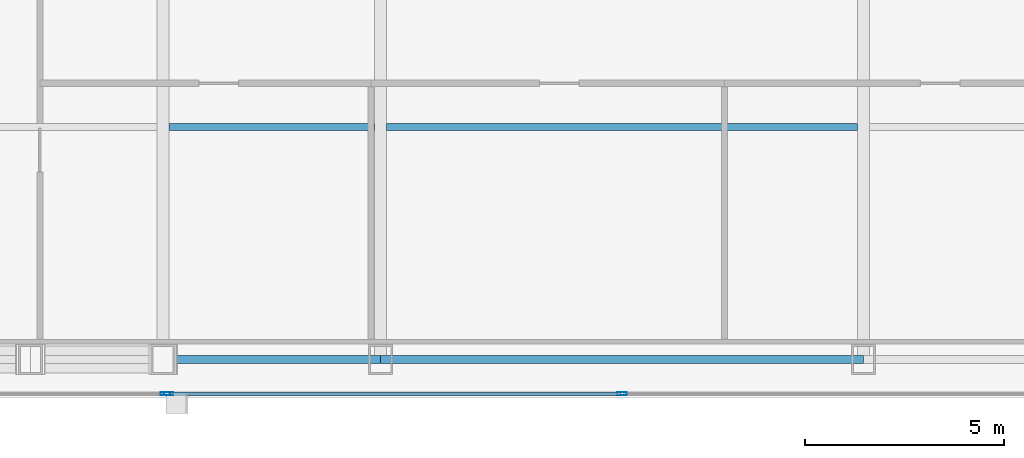
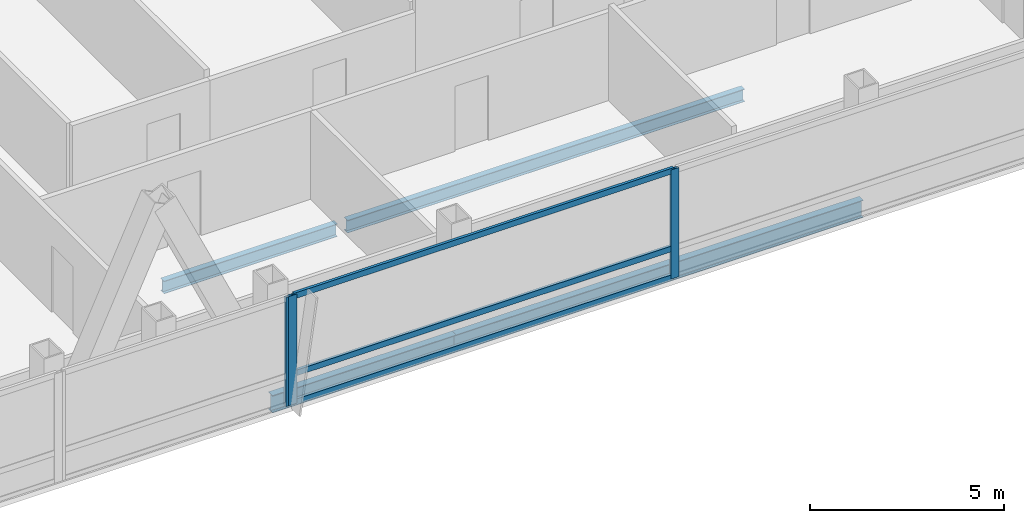
# One storey, part 8 of 30: 6 members, 4 beams, 2 elements without a shape of their own.
"""IFC4 building model written with IfcOpenShell, lengths in metres."""

from ifc_helpers import new_model, si_unit, direction, frame, origin, origin_2d, place, context, subcontext, project, spatial, hollow_rectangle, i_section, extrude, material, material_profile, profile_set, type_object, element, aggregate, save


model = new_model("IFC4")

# Units and contexts
model_context = context("Model", 3, precision=1e-05, world=origin(), true_north=direction((0.0, 1.0)))
body_context = subcontext(model_context, "Body", "Model", "MODEL_VIEW")
ifc_project = project(units=[si_unit("LENGTHUNIT", "METRE"), si_unit("AREAUNIT", "SQUARE_METRE"), si_unit("VOLUMEUNIT", "CUBIC_METRE"), si_unit("PLANEANGLEUNIT", "RADIAN"), si_unit("MASSUNIT", "GRAM", prefix="KILO")], contexts=[model_context])

# Site, building, storey
site_placement = place(None, origin())
site = spatial("IfcSite", under=ifc_project, at=site_placement, CompositionType="ELEMENT")
building_placement = place(site_placement, origin())
building = spatial("IfcBuilding", under=site, at=building_placement, Name="Khoronbel Lancet Exchange", CompositionType="ELEMENT")
storey_placement = place(building_placement, frame((0.0, 0.0, 284.199951171875)))
storey = spatial("IfcBuildingStorey", under=building, at=storey_placement, Name="L73", CompositionType="ELEMENT", Elevation=284.199951171875)

# Beams
ifc_material_1 = material(Name="Steel S355", Category="steel")
ifc_material_profile_1 = material_profile(ifc_material_1, i_section(OverallWidth=0.179931640625, OverallDepth=0.39990234375, WebThickness=0.008544921875, FlangeThickness=0.013427734375, at=origin_2d()), Name="IPE 400")
ifc_profile_set_1 = profile_set([ifc_material_profile_1], Name="Steel S355")
beam_type_1 = type_object("IfcBeamType", Name="BM-BJ5", PredefinedType="JOIST", material=ifc_profile_set_1)
beam_1_placement = place(storey_placement, frame((25.050048828125, 16.0, -0.35986328125), z_axis=(1.0, 0.0, 0.0), x_axis=(0.0, 1.0, 0.0)))
element("IfcBeam", 1, at=beam_1_placement, inside=storey, type_object=beam_type_1, Name="Level L73 secondary composite joist J02", PredefinedType="JOIST", context=body_context, shape_type="SweptSolid", body=[
    extrude(i_section(OverallWidth=0.179931640625, OverallDepth=0.39990234375, WebThickness=0.008544921875, FlangeThickness=0.013427734375, at=origin_2d()), origin(), (0.0, 0.0, 1.0), 5.175048828125),
])
beam_2_placement = place(storey_placement, frame((30.52490234375, 16.0, -0.35986328125), z_axis=(1.0, 0.0, 0.0), x_axis=(0.0, 1.0, 0.0)))
element("IfcBeam", 2, at=beam_2_placement, inside=storey, type_object=beam_type_1, Name="Level L73 secondary composite joist J03", PredefinedType="JOIST", context=body_context, shape_type="SweptSolid", body=[
    extrude(i_section(OverallWidth=0.179931640625, OverallDepth=0.39990234375, WebThickness=0.008544921875, FlangeThickness=0.013427734375, at=origin_2d()), origin(), (0.0, 0.0, 1.0), 11.85009765625),
])
ifc_material_profile_2 = material_profile(ifc_material_1, i_section(OverallWidth=0.2099609375, OverallDepth=0.550048828125, WebThickness=0.010986328125, FlangeThickness=0.01708984375, at=origin_2d()), Name="IPE 550")
ifc_profile_set_2 = profile_set([ifc_material_profile_2], Name="Steel S355")
beam_type_2 = type_object("IfcBeamType", Name="BM-BSP3", PredefinedType="SPANDREL", material=ifc_profile_set_2)
beam_3_placement = place(storey_placement, frame((24.89990234375, 10.14990234375, -0.43505859375), z_axis=(1.0, 0.0, 0.0), x_axis=(0.0, 1.0, 0.0)))
element("IfcBeam", 3, at=beam_3_placement, inside=storey, type_object=beam_type_2, Name="Level L73 perimeter spandrel beam SP04", PredefinedType="SPANDREL", context=body_context, shape_type="SweptSolid", body=[
    extrude(i_section(OverallWidth=0.2099609375, OverallDepth=0.550048828125, WebThickness=0.010986328125, FlangeThickness=0.01708984375, at=origin_2d()), origin(), (0.0, 0.0, 1.0), 5.47509765625),
])
beam_4_placement = place(storey_placement, frame((30.375, 10.14990234375, -0.43505859375), z_axis=(1.0, 0.0, 0.0), x_axis=(0.0, 1.0, 0.0)))
element("IfcBeam", 4, at=beam_4_placement, inside=storey, type_object=beam_type_2, Name="Level L73 perimeter spandrel beam SP05", PredefinedType="SPANDREL", context=body_context, shape_type="SweptSolid", body=[
    extrude(i_section(OverallWidth=0.2099609375, OverallDepth=0.550048828125, WebThickness=0.010986328125, FlangeThickness=0.01708984375, at=origin_2d()), origin(), (0.0, 0.0, 1.0), 12.14990234375),
])

# Curtain wall, member
ifc_material_2 = material(Name="Low-E Solar Control Insulating Glass", Category="glass")
curtain_wall_type = type_object("IfcCurtainWallType", Name="CW-3", PredefinedType="NOTDEFINED", material=ifc_material_2)
curtain_wall_1_placement = place(storey_placement, origin())
curtain_wall_1 = element("IfcCurtainWall", 5, at=curtain_wall_1_placement, inside=storey, type_object=curtain_wall_type, Name="Unitised curtain wall CW-L73-SWB", PredefinedType="NOTDEFINED")
ifc_material_3 = material(Name="Bronze-Anodised Aluminium 6063-T6", Category="aluminium")
ifc_material_profile_3 = material_profile(ifc_material_3, hollow_rectangle(XDim=0.0849609375, YDim=0.239990234375, WallThickness=0.006103515625, at=origin_2d()), Name="ALU MULLION 85x240")
ifc_profile_set_3 = profile_set([ifc_material_profile_3], Name="Bronze-Anodised Aluminium 6063-T6")
member_type_1 = type_object("IfcMemberType", Name="MEM-CWM1", PredefinedType="MULLION", material=ifc_profile_set_3)
member_1_placement = place(storey_placement, frame((24.95751953125, 9.2900390625, 0.0), z_axis=(0.0, 0.0, 1.0), x_axis=(0.0, 1.0, 0.0)))
member_1 = element("IfcMember", 6, at=member_1_placement, type_object=member_type_1, Name="CW3 mullion 2", PredefinedType="MULLION", context=body_context, shape_type="SweptSolid", body=[
    extrude(hollow_rectangle(XDim=0.0849609375, YDim=0.239990234375, WallThickness=0.006103515625, at=origin_2d()), origin(), (0.0, 0.0, 1.0), 3.43994140625),
])
aggregate(curtain_wall_1, [member_1])

# Curtain wall, members
curtain_wall_2_placement = place(storey_placement, origin())
curtain_wall_2 = element("IfcCurtainWall", 7, at=curtain_wall_2_placement, inside=storey, type_object=curtain_wall_type, Name="Unitised curtain wall CW-L73-SCV", PredefinedType="NOTDEFINED")
member_2_placement = place(storey_placement, frame((25.04248046875, 9.2900390625, 0.0), z_axis=(0.0, 0.0, 1.0), x_axis=(0.0, 1.0, 0.0)))
member_2 = element("IfcMember", 8, at=member_2_placement, type_object=member_type_1, Name="CW3 mullion 1", PredefinedType="MULLION", context=body_context, shape_type="SweptSolid", body=[
    extrude(hollow_rectangle(XDim=0.0849609375, YDim=0.239990234375, WallThickness=0.006103515625, at=origin_2d()), origin(), (0.0, 0.0, 1.0), 3.43994140625),
])
member_3_placement = place(storey_placement, frame((36.449951171875, 9.2900390625, 0.0), z_axis=(0.0, 0.0, 1.0), x_axis=(0.0, 1.0, 0.0)))
member_3 = element("IfcMember", 9, at=member_3_placement, type_object=member_type_1, Name="CW3 mullion 2", PredefinedType="MULLION", context=body_context, shape_type="SweptSolid", body=[
    extrude(hollow_rectangle(XDim=0.0849609375, YDim=0.239990234375, WallThickness=0.006103515625, at=origin_2d()), origin(), (0.0, 0.0, 1.0), 3.43994140625),
])
ifc_material_profile_4 = material_profile(ifc_material_3, hollow_rectangle(XDim=0.0849609375, YDim=0.179931640625, WallThickness=0.0048828125, at=origin_2d()), Name="ALU TRANSOM 85x180")
ifc_profile_set_4 = profile_set([ifc_material_profile_4], Name="Bronze-Anodised Aluminium 6063-T6")
member_type_2 = type_object("IfcMemberType", Name="MEM-CWT1", PredefinedType="USERDEFINED", material=ifc_profile_set_4)
member_4_placement = place(storey_placement, frame((25.0849609375, 9.2900390625, 0.04248046875), z_axis=(1.0, 0.0, 0.0), x_axis=(0.0, 1.0, 0.0)))
member_4 = element("IfcMember", 10, at=member_4_placement, type_object=member_type_2, Name="CW3 transom 1.1", ObjectType="TRANSOM", PredefinedType="USERDEFINED", context=body_context, shape_type="SweptSolid", body=[
    extrude(hollow_rectangle(XDim=0.0849609375, YDim=0.179931640625, WallThickness=0.0048828125, at=origin_2d()), origin(), (0.0, 0.0, 1.0), 11.322509765625),
])
member_5_placement = place(storey_placement, frame((25.0849609375, 9.2900390625, 0.949951171875), z_axis=(1.0, 0.0, 0.0), x_axis=(0.0, 1.0, 0.0)))
member_5 = element("IfcMember", 11, at=member_5_placement, type_object=member_type_2, Name="CW3 transom 1.2", ObjectType="TRANSOM", PredefinedType="USERDEFINED", context=body_context, shape_type="SweptSolid", body=[
    extrude(hollow_rectangle(XDim=0.0849609375, YDim=0.179931640625, WallThickness=0.0048828125, at=origin_2d()), origin(), (0.0, 0.0, 1.0), 11.322509765625),
])
member_6_placement = place(storey_placement, frame((25.0849609375, 9.2900390625, 3.3974609375), z_axis=(1.0, 0.0, 0.0), x_axis=(0.0, 1.0, 0.0)))
member_6 = element("IfcMember", 12, at=member_6_placement, type_object=member_type_2, Name="CW3 transom 1.3", ObjectType="TRANSOM", PredefinedType="USERDEFINED", context=body_context, shape_type="SweptSolid", body=[
    extrude(hollow_rectangle(XDim=0.0849609375, YDim=0.179931640625, WallThickness=0.0048828125, at=origin_2d()), origin(), (0.0, 0.0, 1.0), 11.322509765625),
])
aggregate(curtain_wall_2, [member_2, member_3, member_4, member_5, member_6])

save(model, "model.ifc")
